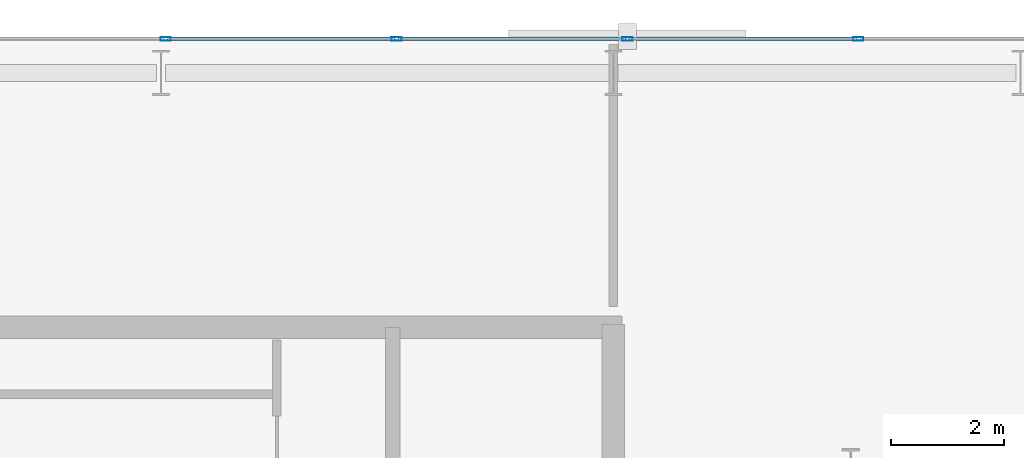
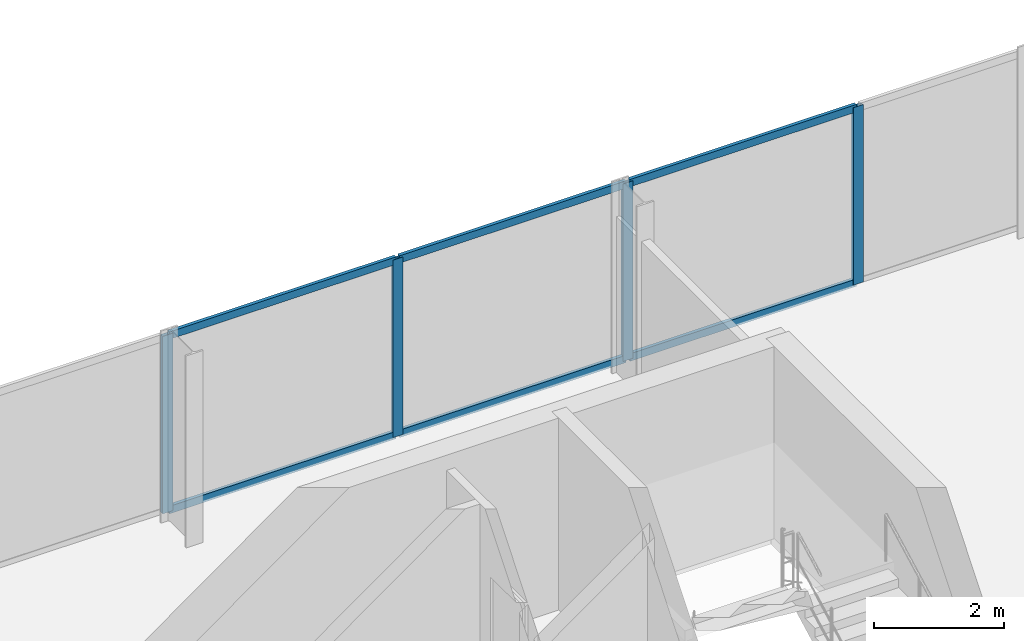
# One storey, part 26 of 33: 10 members, 1 element without a shape of its own.
"""IFC4 building model written with IfcOpenShell, lengths in metres."""

from ifc_helpers import new_model, si_unit, direction, frame, origin, origin_2d, place, context, subcontext, project, spatial, hollow_rectangle, extrude, material, layer, layer_set, material_profile, profile_set, type_object, element, aggregate, save


model = new_model("IFC4")

# Units and contexts
model_context = context("Model", 3, precision=1e-05, world=origin(), true_north=direction((0.0, 1.0)))
body_context = subcontext(model_context, "Body", "Model", "MODEL_VIEW")
ifc_project = project(units=[si_unit("LENGTHUNIT", "METRE"), si_unit("AREAUNIT", "SQUARE_METRE"), si_unit("VOLUMEUNIT", "CUBIC_METRE"), si_unit("PLANEANGLEUNIT", "RADIAN"), si_unit("MASSUNIT", "GRAM", prefix="KILO")], contexts=[model_context])

# Site, building, storey
site_placement = place(None, origin())
site = spatial("IfcSite", under=ifc_project, at=site_placement, CompositionType="ELEMENT")
building_placement = place(site_placement, origin())
building = spatial("IfcBuilding", under=site, at=building_placement, Name="Catumbela Crestline Tower", CompositionType="ELEMENT")
storey_placement = place(building_placement, frame((0.0, 0.0, 72.6)))
storey = spatial("IfcBuildingStorey", under=building, at=storey_placement, Name="L18", CompositionType="ELEMENT", Elevation=72.6)

# Curtain wall, members
ifc_material = material(Name="Aluminium alloy AW-6060-T66", Category="aluminium")
ifc_layer = layer(ifc_material, 0.18, Name="Aluminium alloy AW-6060-T66")
ifc_layer_set = layer_set([ifc_layer], Name="Aluminium alloy AW-6060-T66")
curtain_wall_type = type_object("IfcCurtainWallType", Name="CWU-Z1", PredefinedType="USERDEFINED", material=ifc_layer_set)
curtain_wall_placement = place(storey_placement, origin())
curtain_wall = element("IfcCurtainWall", 1, at=curtain_wall_placement, inside=storey, type_object=curtain_wall_type, Name="L18 Unitised Curtain Wall CW-L18-E7S1", ObjectType="UNITISED", PredefinedType="USERDEFINED")
ifc_material_profile_1 = material_profile(ifc_material, hollow_rectangle(XDim=0.065, YDim=0.18, WallThickness=0.004, at=origin_2d()), Name="ALU 180x65x4")
ifc_profile_set_1 = profile_set([ifc_material_profile_1], Name="Aluminium alloy AW-6060-T66")
member_type_1 = type_object("IfcMemberType", Name="MUL-180X65", PredefinedType="MULLION", material=ifc_profile_set_1)
member_1_placement = place(storey_placement, frame((44.3333, 48.0, 0.0), z_axis=(0.0, 0.0, 1.0), x_axis=(0.0, -1.0, 0.0)))
member_1 = element("IfcMember", 2, at=member_1_placement, type_object=member_type_1, Name="CWU-Z1 mullion 3", PredefinedType="MULLION", context=body_context, shape_type="SweptSolid", body=[
    extrude(hollow_rectangle(XDim=0.065, YDim=0.18, WallThickness=0.004, at=origin_2d()), origin(), (0.0, 0.0, 1.0), 3.33),
])
member_2_placement = place(storey_placement, frame((40.25, 48.0, 0.0), z_axis=(0.0, 0.0, 1.0), x_axis=(0.0, -1.0, 0.0)))
member_2 = element("IfcMember", 3, at=member_2_placement, type_object=member_type_1, Name="CWU-Z1 mullion 4", PredefinedType="MULLION", context=body_context, shape_type="SweptSolid", body=[
    extrude(hollow_rectangle(XDim=0.065, YDim=0.18, WallThickness=0.004, at=origin_2d()), origin(), (0.0, 0.0, 1.0), 3.33),
])
member_3_placement = place(storey_placement, frame((36.1667, 48.0, 0.0), z_axis=(0.0, 0.0, 1.0), x_axis=(0.0, -1.0, 0.0)))
member_3 = element("IfcMember", 4, at=member_3_placement, type_object=member_type_1, Name="CWU-Z1 mullion 5", PredefinedType="MULLION", context=body_context, shape_type="SweptSolid", body=[
    extrude(hollow_rectangle(XDim=0.065, YDim=0.18, WallThickness=0.004, at=origin_2d()), origin(), (0.0, 0.0, 1.0), 3.33),
])
member_4_placement = place(storey_placement, frame((32.0833, 48.0, 0.0), z_axis=(0.0, 0.0, 1.0), x_axis=(0.0, -1.0, 0.0)))
member_4 = element("IfcMember", 5, at=member_4_placement, type_object=member_type_1, Name="CWU-Z1 mullion 6", PredefinedType="MULLION", context=body_context, shape_type="SweptSolid", body=[
    extrude(hollow_rectangle(XDim=0.065, YDim=0.18, WallThickness=0.004, at=origin_2d()), origin(), (0.0, 0.0, 1.0), 3.33),
])
ifc_material_profile_2 = material_profile(ifc_material, hollow_rectangle(XDim=0.06, YDim=0.14, WallThickness=0.004, at=origin_2d()), Name="ALU 140x60x4")
ifc_profile_set_2 = profile_set([ifc_material_profile_2], Name="Aluminium alloy AW-6060-T66")
member_type_2 = type_object("IfcMemberType", Name="TRN-140X60", PredefinedType="USERDEFINED", material=ifc_profile_set_2)
member_5_placement = place(storey_placement, frame((44.3008, 48.0, 0.03), z_axis=(-1.0, 0.0, 0.0), x_axis=(0.0, -1.0, 0.0)))
member_5 = element("IfcMember", 6, at=member_5_placement, type_object=member_type_2, Name="CWU-Z1 transom 3.1", ObjectType="TRANSOM", PredefinedType="USERDEFINED", context=body_context, shape_type="SweptSolid", body=[
    extrude(hollow_rectangle(XDim=0.06, YDim=0.14, WallThickness=0.004, at=origin_2d()), origin(), (0.0, 0.0, 1.0), 4.0183),
])
member_6_placement = place(storey_placement, frame((44.3008, 48.0, 3.3), z_axis=(-1.0, 0.0, 0.0), x_axis=(0.0, -1.0, 0.0)))
member_6 = element("IfcMember", 7, at=member_6_placement, type_object=member_type_2, Name="CWU-Z1 transom 3.2", ObjectType="TRANSOM", PredefinedType="USERDEFINED", context=body_context, shape_type="SweptSolid", body=[
    extrude(hollow_rectangle(XDim=0.06, YDim=0.14, WallThickness=0.004, at=origin_2d()), origin(), (0.0, 0.0, 1.0), 4.0183),
])
member_7_placement = place(storey_placement, frame((40.2175, 48.0, 0.03), z_axis=(-1.0, 0.0, 0.0), x_axis=(0.0, -1.0, 0.0)))
member_7 = element("IfcMember", 8, at=member_7_placement, type_object=member_type_2, Name="CWU-Z1 transom 4.1", ObjectType="TRANSOM", PredefinedType="USERDEFINED", context=body_context, shape_type="SweptSolid", body=[
    extrude(hollow_rectangle(XDim=0.06, YDim=0.14, WallThickness=0.004, at=origin_2d()), origin(), (0.0, 0.0, 1.0), 4.0183),
])
member_8_placement = place(storey_placement, frame((40.2175, 48.0, 3.3), z_axis=(-1.0, 0.0, 0.0), x_axis=(0.0, -1.0, 0.0)))
member_8 = element("IfcMember", 9, at=member_8_placement, type_object=member_type_2, Name="CWU-Z1 transom 4.2", ObjectType="TRANSOM", PredefinedType="USERDEFINED", context=body_context, shape_type="SweptSolid", body=[
    extrude(hollow_rectangle(XDim=0.06, YDim=0.14, WallThickness=0.004, at=origin_2d()), origin(), (0.0, 0.0, 1.0), 4.0183),
])
member_9_placement = place(storey_placement, frame((36.1342, 48.0, 0.03), z_axis=(-1.0, 0.0, 0.0), x_axis=(0.0, -1.0, 0.0)))
member_9 = element("IfcMember", 10, at=member_9_placement, type_object=member_type_2, Name="CWU-Z1 transom 5.1", ObjectType="TRANSOM", PredefinedType="USERDEFINED", context=body_context, shape_type="SweptSolid", body=[
    extrude(hollow_rectangle(XDim=0.06, YDim=0.14, WallThickness=0.004, at=origin_2d()), origin(), (0.0, 0.0, 1.0), 4.0184),
])
member_10_placement = place(storey_placement, frame((36.1342, 48.0, 3.3), z_axis=(-1.0, 0.0, 0.0), x_axis=(0.0, -1.0, 0.0)))
member_10 = element("IfcMember", 11, at=member_10_placement, type_object=member_type_2, Name="CWU-Z1 transom 5.2", ObjectType="TRANSOM", PredefinedType="USERDEFINED", context=body_context, shape_type="SweptSolid", body=[
    extrude(hollow_rectangle(XDim=0.06, YDim=0.14, WallThickness=0.004, at=origin_2d()), origin(), (0.0, 0.0, 1.0), 4.0184),
])
aggregate(curtain_wall, [member_1, member_2, member_3, member_4, member_5, member_6, member_7, member_8, member_9, member_10])

save(model, "model.ifc")
